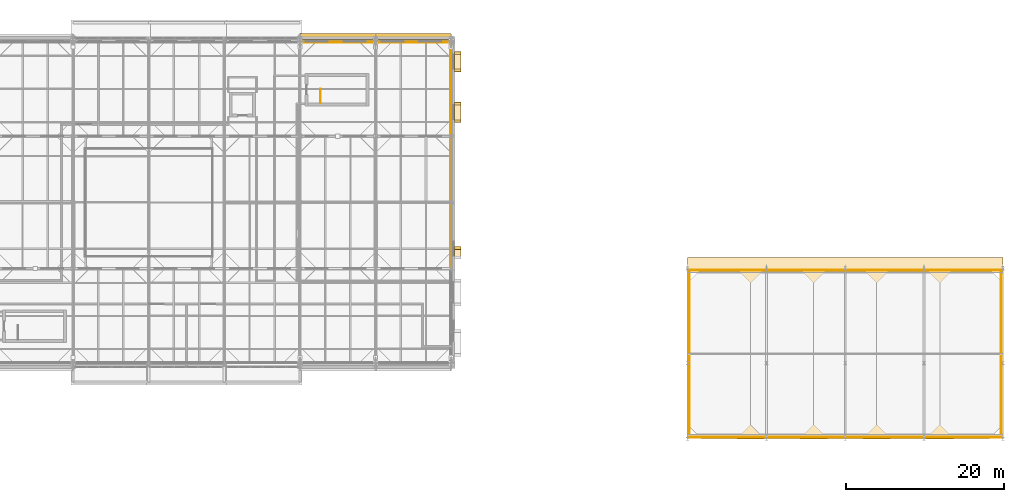
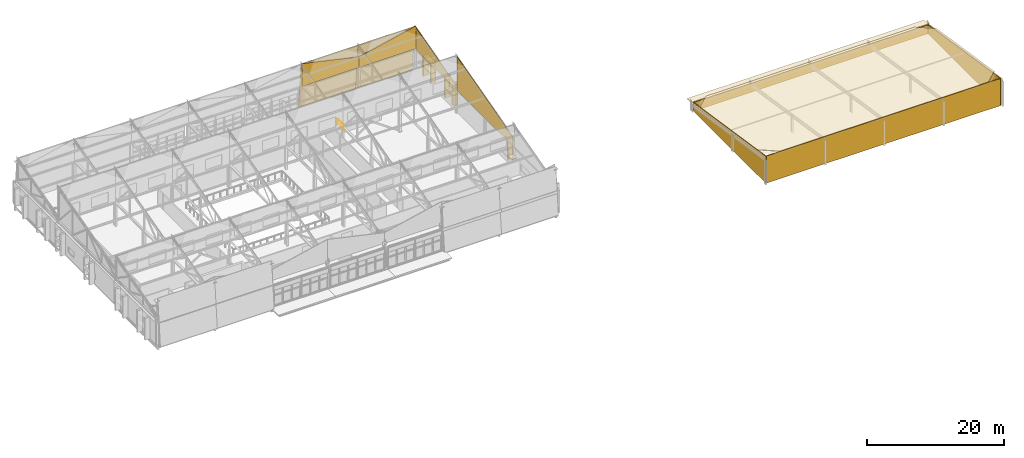
# One storey, part 89 of 89: 22 coverings, 2 railings.
"""IFC4 building model written with IfcOpenShell, lengths in metres."""

from ifc_helpers import new_model, si_unit, direction, frame, origin, origin_2d, place, context, subcontext, project, spatial, polyline, rectangle, circle, outline, extrude, material, layer, layer_set, type_object, element, save


model = new_model("IFC4")

# Units and contexts
model_context = context("Model", 3, precision=1e-05, world=origin(), true_north=direction((0.0, 1.0)))
body_context = subcontext(model_context, "Body", "Model", "MODEL_VIEW")
ifc_project = project(units=[si_unit("LENGTHUNIT", "METRE"), si_unit("AREAUNIT", "SQUARE_METRE"), si_unit("VOLUMEUNIT", "CUBIC_METRE"), si_unit("PLANEANGLEUNIT", "RADIAN"), si_unit("MASSUNIT", "GRAM", prefix="KILO")], contexts=[model_context])

# Site, building, storey
site_placement = place(None, origin())
site = spatial("IfcSite", under=ifc_project, at=site_placement, CompositionType="ELEMENT")
building_placement = place(site_placement, origin())
building = spatial("IfcBuilding", under=site, at=building_placement, Name="Zereglee Splitstone Museum", CompositionType="ELEMENT")
storey_placement = place(building_placement, frame((0.0, 0.0, 21.300048828125)))
storey = spatial("IfcBuildingStorey", under=building, at=storey_placement, Name="L04", CompositionType="ELEMENT", Elevation=21.300048828125)

# Coverings
ifc_material_1 = material(Name="Honed Gobi pale limestone stringcourse and soffit cladding", Category="masonry")
ifc_layer_1 = layer(ifc_material_1, 0.070068359375)
ifc_layer_set_1 = layer_set([ifc_layer_1], Name="Honed Gobi pale limestone stringcourse and soffit cladding")
covering_type_1 = type_object("IfcCoveringType", Name="CL-02", PredefinedType="CLADDING", material=ifc_layer_set_1)
covering_1_placement = place(storey_placement, frame((146.02490234375, 24.205078125, 0.0), z_axis=(0.0, 0.0, 1.0), x_axis=(0.0, 1.0, 0.0)))
element("IfcCovering", 1, at=covering_1_placement, inside=storey, type_object=covering_type_1, Name="Mughal Window Reveal Stone Pilaster L04-0144R", PredefinedType="CLADDING", context=body_context, shape_type="SweptSolid", body=[
    extrude(rectangle(XDim=0.340087890625, YDim=0.860107421875, at=origin_2d()), origin(), (0.0, 0.0, 1.0), 3.89990234375),
])
covering_2_placement = place(storey_placement, frame((146.034912109375, 23.610107421875, 0.760009765625), z_axis=(0.0, 0.0, 1.0), x_axis=(0.0, 1.0, 0.0)))
element("IfcCovering", 2, at=covering_2_placement, inside=storey, type_object=covering_type_1, Name="Carved Limestone Window Sill L04-0144", PredefinedType="CLADDING", context=body_context, shape_type="SweptSolid", body=[
    extrude(rectangle(XDim=1.389892578125, YDim=0.840087890625, at=origin_2d()), origin(), (0.0, 0.0, 1.0), 0.1201171875),
])
for number, where, z_axis, x_axis, name in (
    (3, (146.02490234375, 40.31005859375, 0.0), (0.0, 0.0, 1.0), (0.0, 1.0, 0.0), "Mughal Window Reveal Stone Pilaster L04-0145L"),
    (4, (146.02490234375, 42.550048828125, 0.0), (0.0, 0.0, 1.0), (0.0, 1.0, 0.0), "Mughal Window Reveal Stone Pilaster L04-0145R"),
):
    element("IfcCovering", number, at=place(storey_placement, frame(where, z_axis=z_axis, x_axis=x_axis)), inside=storey, type_object=covering_type_1, Name=name, PredefinedType="CLADDING", context=body_context, shape_type="SweptSolid", body=[
        extrude(rectangle(XDim=0.340087890625, YDim=0.860107421875, at=origin_2d()), origin(), (0.0, 0.0, 1.0), 3.89990234375),
    ])
covering_3_placement = place(storey_placement, frame((146.034912109375, 41.429931640625, 1.659912109375), z_axis=(0.0, 0.0, 1.0), x_axis=(0.0, 1.0, 0.0)))
element("IfcCovering", 5, at=covering_3_placement, inside=storey, type_object=covering_type_1, Name="Carved Limestone Window Sill L04-0145", PredefinedType="CLADDING", context=body_context, shape_type="SweptSolid", body=[
    extrude(rectangle(XDim=2.43994140625, YDim=0.840087890625, at=origin_2d()), origin(), (0.0, 0.0, 1.0), 0.1201171875),
])
for number, where, z_axis, x_axis, name in (
    (6, (146.02490234375, 46.72998046875, 0.0), (0.0, 0.0, 1.0), (0.0, 1.0, 0.0), "Mughal Window Reveal Stone Pilaster L04-0146L"),
    (7, (146.02490234375, 48.969970703125, 0.0), (0.0, 0.0, 1.0), (0.0, 1.0, 0.0), "Mughal Window Reveal Stone Pilaster L04-0146R"),
):
    element("IfcCovering", number, at=place(storey_placement, frame(where, z_axis=z_axis, x_axis=x_axis)), inside=storey, type_object=covering_type_1, Name=name, PredefinedType="CLADDING", context=body_context, shape_type="SweptSolid", body=[
        extrude(rectangle(XDim=0.340087890625, YDim=0.860107421875, at=origin_2d()), origin(), (0.0, 0.0, 1.0), 3.89990234375),
    ])
covering_4_placement = place(storey_placement, frame((146.034912109375, 47.85009765625, 1.659912109375), z_axis=(0.0, 0.0, 1.0), x_axis=(0.0, 1.0, 0.0)))
element("IfcCovering", 8, at=covering_4_placement, inside=storey, type_object=covering_type_1, Name="Carved Limestone Window Sill L04-0146", PredefinedType="CLADDING", context=body_context, shape_type="SweptSolid", body=[
    extrude(rectangle(XDim=2.43994140625, YDim=0.840087890625, at=origin_2d()), origin(), (0.0, 0.0, 1.0), 0.1201171875),
])
ifc_material_2 = material(Name="Honed Khoroo red sandstone ventilated rainscreen", Category="masonry")
ifc_layer_2 = layer(ifc_material_2, 0.080078125)
ifc_layer_set_2 = layer_set([ifc_layer_2], Name="Honed Khoroo red sandstone ventilated rainscreen")
covering_type_2 = type_object("IfcCoveringType", Name="CL-01", PredefinedType="CLADDING", material=ifc_layer_set_2)
for number, where, z_axis, x_axis, name in (
    (9, (146.034912109375, 41.429931640625, 2.9599609375), (0.0, 0.0, 1.0), (0.0, 1.0, 0.0), "Pointed-Arch Mughal Window Hood L04-0145"),
    (10, (146.034912109375, 47.85009765625, 2.9599609375), (0.0, 0.0, 1.0), (0.0, 1.0, 0.0), "Pointed-Arch Mughal Window Hood L04-0146"),
):
    element("IfcCovering", number, at=place(storey_placement, frame(where, z_axis=z_axis, x_axis=x_axis)), inside=storey, type_object=covering_type_2, Name=name, PredefinedType="CLADDING", context=body_context, shape_type="SweptSolid", body=[
        extrude(rectangle(XDim=2.43994140625, YDim=0.860107421875, at=origin_2d()), origin(), (0.0, 0.0, 1.0), 0.580078125),
    ])
covering_5_placement = place(storey_placement, frame((126.0, 50.669921875, 8.0), z_axis=(0.0, 0.995858590986, 0.090915712393), x_axis=(1.0, 0.0, 0.0)))
element("IfcCovering", 11, at=covering_5_placement, inside=storey, type_object=covering_type_2, Name="Split-Rock Continuous Inclined Facet FH-V2NE L04.1", PredefinedType="CLADDING", context=body_context, shape_type="SweptSolid", body=[
    extrude(outline(polyline([(0.0, 0.0), (9.60009765625, 0.0), (9.60009765625, 8.284308710771978), (0.0, 8.284308710771978), (0.0, 0.0)])), origin(), (0.0, 0.0, -1.0), 0.080078125),
])
covering_6_placement = place(storey_placement, frame((135.60009765625, 50.669921875, 8.0), z_axis=(0.0, 0.995858590986, 0.090915712393), x_axis=(1.0, 0.0, 0.0)))
element("IfcCovering", 12, at=covering_6_placement, inside=storey, type_object=covering_type_2, Name="Split-Rock Continuous Inclined Facet FH-V2NE L04.2", PredefinedType="CLADDING", context=body_context, shape_type="SweptSolid", body=[
    extrude(outline(polyline([(0.0, 0.0), (9.599853515625, 0.0), (9.599853515625, 8.284308710771978), (0.0, 8.284308710771978), (0.0, 0.0)])), origin(), (0.0, 0.0, -1.0), 0.080078125),
])
covering_7_placement = place(storey_placement, frame((126.0, 50.39990234375, 8.25), z_axis=(0.0, 1.0, 0.0), x_axis=(0.975824263924, 0.0, -0.218556642398)))
element("IfcCovering", 13, at=covering_7_placement, inside=storey, type_object=covering_type_2, Name="Sawtooth Split-Rock Cheek Cladding N Bay 6", PredefinedType="CLADDING", context=body_context, shape_type="SweptSolid", body=[
    extrude(outline(polyline([(0.0, 0.0), (9.837937025301947, -4.440892098500626e-16), (10.253173302436432, 1.8539708061181104), (0.8851650734237939, 3.952135916563009), (0.0, 0.0)])), origin(), (0.0, 0.0, -1.0), 0.1201171875),
])
covering_8_placement = place(storey_placement, frame((135.60009765625, 50.39990234375, 6.099853515625), z_axis=(0.0, 1.0, 0.0), x_axis=(0.975823078484, 0.0, 0.218561935154)))
element("IfcCovering", 14, at=covering_8_placement, inside=storey, type_object=covering_type_2, Name="Sawtooth Split-Rock Cheek Cladding N Bay 7", PredefinedType="CLADDING", context=body_context, shape_type="SweptSolid", body=[
    extrude(outline(polyline([(0.0, 0.0), (9.837698787100967, -4.440892098500626e-16), (8.952512277756108, 3.952131115470557), (-0.41524633285440304, 1.853968553896671), (0.0, 0.0)])), origin(), (0.0, 0.0, -1.0), 0.1201171875),
])
covering_9_placement = place(storey_placement, frame((145.199951171875, 21.75, 4.199951171875), z_axis=(1.0, 0.0, 0.0), x_axis=(0.0, 1.0, 0.0)))
element("IfcCovering", 15, at=covering_9_placement, inside=storey, type_object=covering_type_2, Name="Sawtooth End Gable Split-Rock Cladding E-2", PredefinedType="CLADDING", context=body_context, shape_type="SweptSolid", body=[
    extrude(outline(polyline([(0.0, 0.0), (16.35009765625, 0.0), (16.35009765625, 6.02001953125), (0.0, 1.52001953125), (0.0, 0.0)])), origin(), (0.0, 0.0, -1.0), 0.1201171875),
])
covering_10_placement = place(storey_placement, frame((145.199951171875, 38.550048828125, 4.199951171875), z_axis=(1.0, 0.0, 0.0), x_axis=(0.0, 1.0, 0.0)))
element("IfcCovering", 16, at=covering_10_placement, inside=storey, type_object=covering_type_2, Name="Sawtooth End Gable Split-Rock Cladding E-3", PredefinedType="CLADDING", context=body_context, shape_type="SweptSolid", body=[
    extrude(outline(polyline([(0.0, 0.0), (11.550048828125, 0.0), (11.550048828125, 3.919921875), (0.0, 0.719970703125), (0.0, 0.0)])), origin(), (0.0, 0.0, -1.0), 0.1201171875),
])
covering_11_placement = place(storey_placement, frame((175.35009765625, 0.14990234375, 0.0), z_axis=(0.0, -1.0, 0.0), x_axis=(1.0, 0.0, 0.0)))
element("IfcCovering", 17, at=covering_11_placement, inside=storey, type_object=covering_type_2, Name="Raked Attic Split-Rock Cladding RF-V3 S", PredefinedType="CLADDING", context=body_context, shape_type="SweptSolid", body=[
    extrude(outline(polyline([(0.0, 0.0), (39.699951171875, 0.0), (39.699951171875, 4.85205078125), (0.0, 4.85205078125), (0.0, 0.0)])), origin(), (0.0, 0.0, -1.0), 0.1201171875),
])
covering_12_placement = place(storey_placement, frame((175.35009765625, 21.449951171875, 1.597900390625), z_axis=(0.0, 1.0, 0.0), x_axis=(1.0, 0.0, 0.0)))
element("IfcCovering", 18, at=covering_12_placement, inside=storey, type_object=covering_type_2, Name="Raked Attic Split-Rock Cladding RF-V3 N", PredefinedType="CLADDING", context=body_context, shape_type="SweptSolid", body=[
    extrude(outline(polyline([(0.0, 0.0), (39.699951171875, 0.0), (39.699951171875, 1.597900390625), (0.0, 1.597900390625), (0.0, 0.0)])), origin(), (0.0, 0.0, -1.0), 0.1201171875),
])
covering_13_placement = place(storey_placement, frame((175.35009765625, 0.14990234375, 4.85205078125), z_axis=(-1.0, 0.0, 0.0), x_axis=(0.0, 0.988530047129, -0.15102432229)))
element("IfcCovering", 19, at=covering_13_placement, inside=storey, type_object=covering_type_2, Name="Raked Attic Split-Rock Cladding RF-V3 W", PredefinedType="CLADDING", context=body_context, shape_type="SweptSolid", body=[
    extrude(outline(polyline([(0.0, 0.0), (21.54719412929011, 0.0), (21.78851595287102, 1.579572548451989), (0.7327776809544723, 4.796397987461395), (0.0, 0.0)])), origin(), (0.0, 0.0, -1.0), 0.1201171875),
])
covering_14_placement = place(storey_placement, frame((215.050048828125, 0.14990234375, 0.0), z_axis=(1.0, 0.0, 0.0), x_axis=(0.0, 1.0, 0.0)))
element("IfcCovering", 20, at=covering_14_placement, inside=storey, type_object=covering_type_2, Name="Raked Attic Split-Rock Cladding RF-V3 E", PredefinedType="CLADDING", context=body_context, shape_type="SweptSolid", body=[
    extrude(outline(polyline([(0.0, 0.0), (21.300048828125, 0.0), (21.300048828125, 1.597900390625), (0.0, 4.85205078125), (0.0, 0.0)])), origin(), (0.0, 0.0, -1.0), 0.1201171875),
])

# Railings
ifc_material_3 = material(Name="Painted steel S355J2 post-and-baluster guard", Category="steel")
railing_type = type_object("IfcRailingType", Name="GR-03", PredefinedType="BALUSTRADE", material=ifc_material_3)
railing_1_placement = place(storey_placement, frame((128.60009765625, 42.60009765625, 0.0)))
element("IfcRailing", 21, at=railing_1_placement, inside=storey, type_object=railing_type, Name="L04 ST-03 top well guard 1", PredefinedType="BALUSTRADE", context=body_context, shape_type="SweptSolid", body=[
    extrude(circle(Radius=0.02392578125, at=origin_2d()), frame((0.0, 0.0, 1.076416015625), z_axis=(0.0, 1.0, 0.0), x_axis=(-1.0, 0.0, 0.0)), (0.0, 0.0, 1.0), 1.7998046875),
    extrude(circle(Radius=0.02099609375, at=origin_2d()), origin(), (0.0, 0.0, 1.0), 1.052001953125),
    extrude(circle(Radius=0.02099609375, at=origin_2d()), frame((0.0, 0.89990234375, 0.0)), (0.0, 0.0, 1.0), 1.052001953125),
    extrude(circle(Radius=0.02099609375, at=origin_2d()), frame((0.0, 1.7998046875, 0.0)), (0.0, 0.0, 1.0), 1.052001953125),
])
railing_2_placement = place(storey_placement, frame((128.610107421875, 42.6201171875, 0.0)))
element("IfcRailing", 22, at=railing_2_placement, inside=storey, type_object=railing_type, Name="Stair Top-Floor Well Guard ST-03", PredefinedType="BALUSTRADE", context=body_context, shape_type="SweptSolid", body=[
    extrude(circle(Radius=0.02392578125, at=origin_2d()), frame((0.0, 0.0, 1.076416015625), z_axis=(0.0, 1.0, 0.0), x_axis=(-1.0, 0.0, 0.0)), (0.0, 0.0, 1.0), 1.77978515625),
    extrude(circle(Radius=0.02099609375, at=origin_2d()), origin(), (0.0, 0.0, 1.0), 1.052001953125),
    extrude(circle(Radius=0.02099609375, at=origin_2d()), frame((0.0, 0.889892578125, 0.0)), (0.0, 0.0, 1.0), 1.052001953125),
    extrude(circle(Radius=0.02099609375, at=origin_2d()), frame((0.0, 1.77978515625, 0.0)), (0.0, 0.0, 1.0), 1.052001953125),
])

# Coverings
ifc_material_4 = material(Name="Honed Khoroo red sandstone chhajja eave coping", Category="masonry")
ifc_layer_3 = layer(ifc_material_4, 0.110107421875)
ifc_layer_set_3 = layer_set([ifc_layer_3], Name="Honed Khoroo red sandstone chhajja eave coping")
covering_type_3 = type_object("IfcCoveringType", Name="RF-C2", PredefinedType="ROOFING", material=ifc_layer_set_3)
covering_15_placement = place(storey_placement, frame((175.199951171875, 21.449951171875, 1.669921875), z_axis=(0.0, 0.202223039102, 0.979339492952), x_axis=(1.0, 0.0, 0.0)))
element("IfcCovering", 23, at=covering_15_placement, inside=storey, type_object=covering_type_3, Name="Projecting Mughal Chhajja Stone Eave RF-V3", PredefinedType="ROOFING", context=body_context, shape_type="SweptSolid", body=[
    extrude(outline(polyline([(0.0, 0.0), (40.0, 0.0), (40.0, 1.582749229740672), (0.0, 1.582749229740672), (0.0, 0.0)])), origin(), (0.0, 0.0, -1.0), 0.110107421875),
])
ifc_material_5 = material(Name="Pre-weathered quartz-zinc standing-seam roofing on rigid PIR insulation")
ifc_layer_4 = layer(ifc_material_5, 0.1201171875)
ifc_layer_set_4 = layer_set([ifc_layer_4], Name="Pre-weathered quartz-zinc standing-seam roofing on rigid PIR insulation")
covering_type_4 = type_object("IfcCoveringType", Name="RF-C1", PredefinedType="ROOFING", material=ifc_layer_set_4)
covering_16_placement = place(storey_placement, frame((177.60009765625, 0.0, 5.06494140625), z_axis=(0.0, 0.151026778892, 0.988529671814), x_axis=(1.0, 0.0, 0.0)))
element("IfcCovering", 24, at=covering_16_placement, inside=storey, type_object=covering_type_4, Name="Standing-Seam Zinc Roof Covering RF-V3", PredefinedType="ROOFING", context=body_context, shape_type="SweptSolid", body=[
    extrude(outline(polyline([(0.0, 0.0), (35.199951171875, 0.0), (37.599853515625, 2.4277560780838483), (37.599853515625, 19.42273577365432), (35.199951171875, 21.850733191990077), (0.0, 21.850733191990077), (-2.400146484375, 19.42273577365432), (-2.400146484375, 2.4277560780838483), (0.0, 0.0)])), origin(), (0.0, 0.0, -1.0), 0.1201171875),
])

save(model, "model.ifc")
